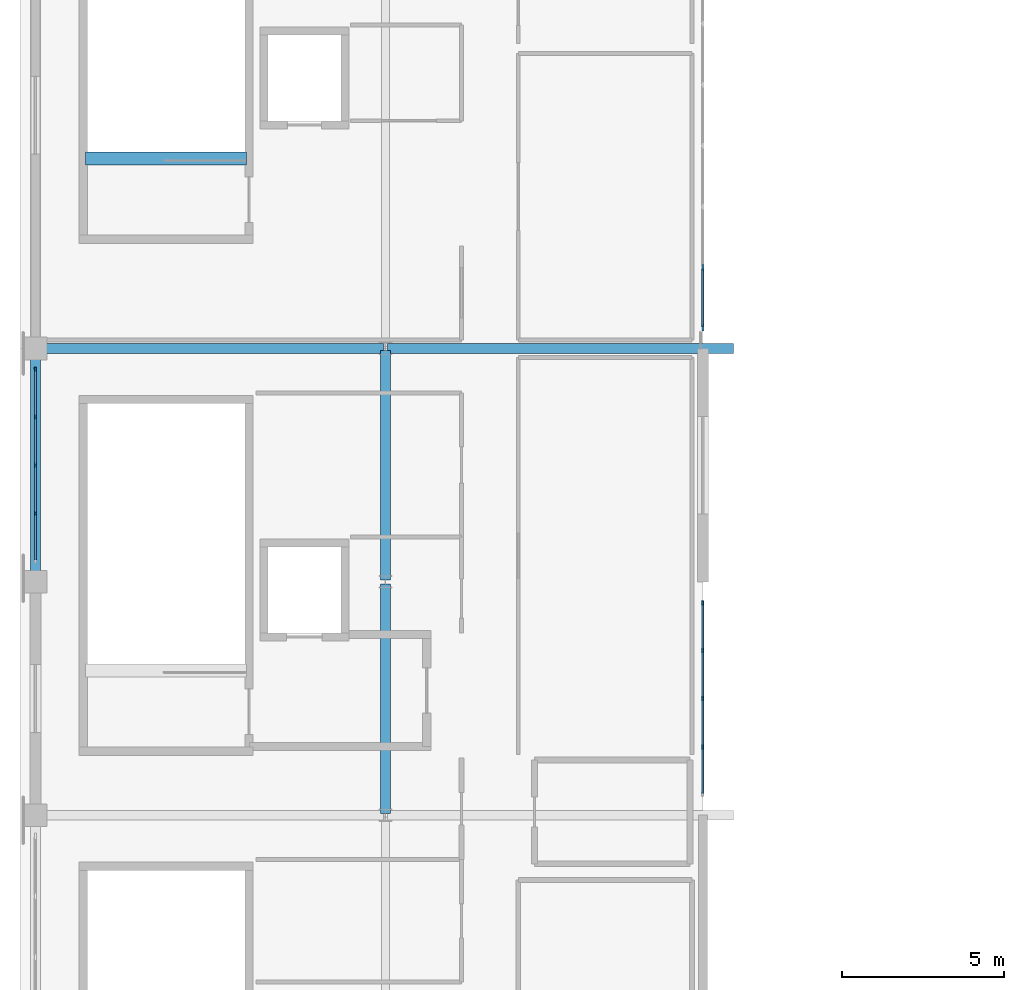
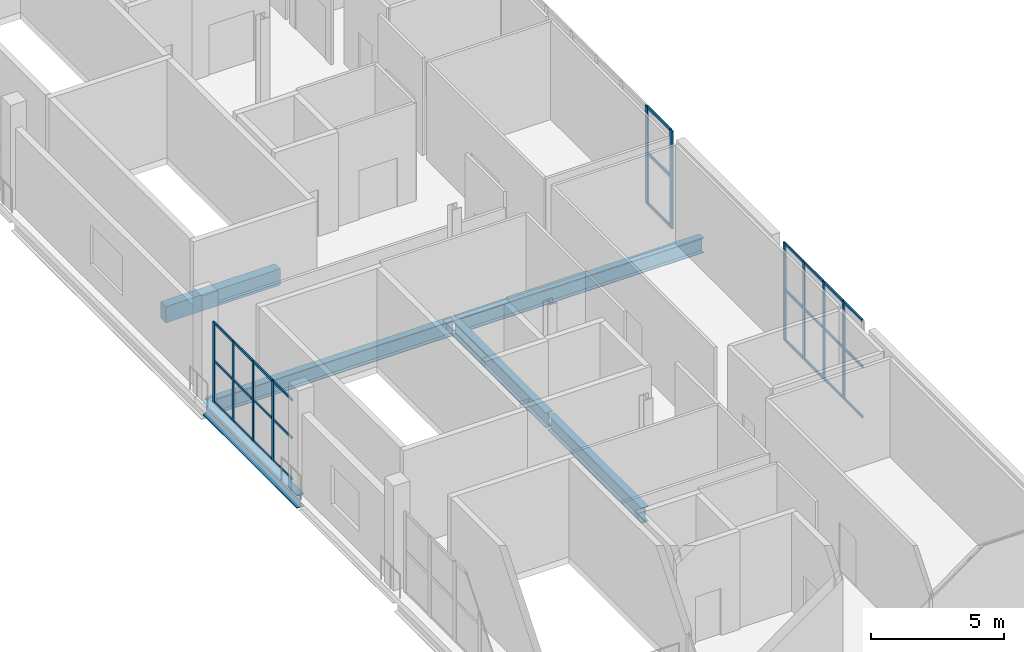
# One storey, part 4 of 19: 37 members, 6 beams, 3 elements without a shape of their own.
"""IFC4 building model written with IfcOpenShell, lengths in metres."""

from ifc_helpers import new_model, si_unit, direction, frame, origin, origin_2d, place, context, subcontext, project, spatial, rectangle, i_section, extrude, material, material_profile, profile_set, type_object, element, aggregate, save


model = new_model("IFC4")

# Units and contexts
model_context = context("Model", 3, precision=1e-05, world=origin(), true_north=direction((0.0, 1.0)))
body_context = subcontext(model_context, "Body", "Model", "MODEL_VIEW")
ifc_project = project(units=[si_unit("LENGTHUNIT", "METRE"), si_unit("AREAUNIT", "SQUARE_METRE"), si_unit("VOLUMEUNIT", "CUBIC_METRE"), si_unit("PLANEANGLEUNIT", "RADIAN"), si_unit("MASSUNIT", "GRAM", prefix="KILO")], contexts=[model_context])

# Site, building, storey
site_placement = place(None, origin())
site = spatial("IfcSite", under=ifc_project, at=site_placement, CompositionType="ELEMENT")
building_placement = place(site_placement, origin())
building = spatial("IfcBuilding", under=site, at=building_placement, Name="Koshinbarg Plaza Stadium", CompositionType="ELEMENT")
storey_placement = place(building_placement, frame((0.0, 0.0, 29.39990234375)))
storey = spatial("IfcBuildingStorey", under=building, at=storey_placement, Name="L06", CompositionType="ELEMENT", Elevation=29.39990234375)

# Beams
ifc_material_1 = material(Name="Concrete C40/50", Category="concrete")
ifc_material_profile_1 = material_profile(ifc_material_1, rectangle(XDim=0.39990234375, YDim=0.75, at=origin_2d()), Name="RC 400x750")
ifc_profile_set_1 = profile_set([ifc_material_profile_1], Name="Concrete C40/50")
beam_type_1 = type_object("IfcBeamType", Name="BM-RCG-03", PredefinedType="USERDEFINED", material=ifc_profile_set_1)
beam_1_placement = place(storey_placement, frame((26.14990234375, 60.159912109375, -0.375), z_axis=(1.0, 0.0, 0.0), x_axis=(0.0, 1.0, 0.0)))
element("IfcBeam", 1, at=beam_1_placement, inside=storey, type_object=beam_type_1, Name="L06 stair landing header beam C03", ObjectType="GIRDER", PredefinedType="USERDEFINED", context=body_context, shape_type="SweptSolid", body=[
    extrude(rectangle(XDim=0.39990234375, YDim=0.75, at=origin_2d()), origin(), (0.0, 0.0, 1.0), 4.97021484375),
])
ifc_material_2 = material(Name="Steel S355", Category="steel")
ifc_material_profile_2 = material_profile(ifc_material_2, i_section(OverallWidth=0.300048828125, OverallDepth=0.60009765625, WebThickness=0.015380859375, FlangeThickness=0.030029296875, at=origin_2d()), Name="HEB 600")
ifc_profile_set_2 = profile_set([ifc_material_profile_2], Name="Steel S355")
beam_type_2 = type_object("IfcBeamType", Name="BM-SGIR-02", PredefinedType="USERDEFINED", material=ifc_profile_set_2)
beam_2_placement = place(storey_placement, frame((24.60009765625, 47.159912109375, -0.599853515625), z_axis=(0.0, 1.0, 0.0), x_axis=(-1.0, 0.0, 0.0)))
element("IfcBeam", 2, at=beam_2_placement, inside=storey, type_object=beam_type_2, Name="L06 Y girder 5/G-H", ObjectType="GIRDER", PredefinedType="USERDEFINED", context=body_context, shape_type="SweptSolid", body=[
    extrude(i_section(OverallWidth=0.300048828125, OverallDepth=0.60009765625, WebThickness=0.015380859375, FlangeThickness=0.030029296875, at=origin_2d()), origin(), (0.0, 0.0, 1.0), 7.080078125),
])
ifc_material_profile_3 = material_profile(ifc_material_2, i_section(OverallWidth=0.300048828125, OverallDepth=0.699951171875, WebThickness=0.01708984375, FlangeThickness=0.031982421875, at=origin_2d()), Name="HEB 700")
ifc_profile_set_3 = profile_set([ifc_material_profile_3], Name="Steel S355")
beam_type_3 = type_object("IfcBeamType", Name="BM-SGIR-03", PredefinedType="USERDEFINED", material=ifc_profile_set_3)
beam_3_placement = place(storey_placement, frame((24.659912109375, 54.300048828125, -0.64990234375), z_axis=(1.0, 0.0, 0.0), x_axis=(0.0, 1.0, 0.0)))
element("IfcBeam", 3, at=beam_3_placement, inside=storey, type_object=beam_type_3, Name="L06 X girder H/5-6", ObjectType="GIRDER", PredefinedType="USERDEFINED", context=body_context, shape_type="SweptSolid", body=[
    extrude(i_section(OverallWidth=0.300048828125, OverallDepth=0.699951171875, WebThickness=0.01708984375, FlangeThickness=0.031982421875, at=origin_2d()), origin(), (0.0, 0.0, 1.0), 10.68017578125),
])
beam_4_placement = place(storey_placement, frame((35.4599609375, 54.300048828125, -0.64990234375), z_axis=(1.0, 0.0, 0.0), x_axis=(0.0, 1.0, 0.0)))
element("IfcBeam", 4, at=beam_4_placement, inside=storey, type_object=beam_type_3, Name="L06 X girder H/6-7", ObjectType="GIRDER", PredefinedType="USERDEFINED", context=body_context, shape_type="SweptSolid", body=[
    extrude(i_section(OverallWidth=0.300048828125, OverallDepth=0.699951171875, WebThickness=0.01708984375, FlangeThickness=0.031982421875, at=origin_2d()), origin(), (0.0, 0.0, 1.0), 10.679931640625),
])
for number, where, z_axis, x_axis, name in (
    (5, (35.39990234375, 39.9599609375, -0.64990234375), (0.0, 1.0, 0.0), (-1.0, 0.0, 0.0), "L06 Y girder 6/F-G"),
    (6, (35.39990234375, 47.159912109375, -0.64990234375), (0.0, 1.0, 0.0), (-1.0, 0.0, 0.0), "L06 Y girder 6/G-H"),
):
    element("IfcBeam", number, at=place(storey_placement, frame(where, z_axis=z_axis, x_axis=x_axis)), inside=storey, type_object=beam_type_3, Name=name, ObjectType="GIRDER", PredefinedType="USERDEFINED", context=body_context, shape_type="SweptSolid", body=[
        extrude(i_section(OverallWidth=0.300048828125, OverallDepth=0.699951171875, WebThickness=0.01708984375, FlangeThickness=0.031982421875, at=origin_2d()), origin(), (0.0, 0.0, 1.0), 7.080078125),
    ])

# Curtain wall, members
ifc_material_3 = material(Name="Thermally broken anodised aluminium and low-E double glazing", Category="aluminium")
curtain_wall_type_1 = type_object("IfcCurtainWallType", Name="CW-SYS-09", PredefinedType="NOTDEFINED", material=ifc_material_3)
curtain_wall_1_placement = place(storey_placement, origin())
curtain_wall_1 = element("IfcCurtainWall", 7, at=curtain_wall_1_placement, inside=storey, type_object=curtain_wall_type_1, Name="L06 unitised curtain wall CW-L06-152", PredefinedType="NOTDEFINED")
ifc_material_4 = material(Name="Anodised aluminium mullion", Category="aluminium")
ifc_material_profile_4 = material_profile(ifc_material_4, rectangle(XDim=0.06005859375, YDim=0.139892578125, at=origin_2d()), Name="ALU 60x140")
ifc_profile_set_4 = profile_set([ifc_material_profile_4], Name="Anodised aluminium mullion")
member_type_1 = type_object("IfcMemberType", Name="CW-MUL-01", PredefinedType="MULLION", material=ifc_profile_set_4)
member_1_placement = place(storey_placement, frame((24.60009765625, 49.2099609375, 0.0), z_axis=(0.0, 0.0, 1.0), x_axis=(-1.0, 0.0, 0.0)))
member_1 = element("IfcMember", 8, at=member_1_placement, type_object=member_type_1, Name="CW09 mullion 2", PredefinedType="MULLION", context=body_context, shape_type="SweptSolid", body=[
    extrude(rectangle(XDim=0.06005859375, YDim=0.139892578125, at=origin_2d()), origin(), (0.0, 0.0, 1.0), 3.68017578125),
])
member_2_placement = place(storey_placement, frame((24.60009765625, 50.699951171875, 0.0), z_axis=(0.0, 0.0, 1.0), x_axis=(-1.0, 0.0, 0.0)))
member_2 = element("IfcMember", 9, at=member_2_placement, type_object=member_type_1, Name="CW09 mullion 3", PredefinedType="MULLION", context=body_context, shape_type="SweptSolid", body=[
    extrude(rectangle(XDim=0.06005859375, YDim=0.139892578125, at=origin_2d()), origin(), (0.0, 0.0, 1.0), 3.68017578125),
])
member_3_placement = place(storey_placement, frame((24.60009765625, 52.18994140625, 0.0), z_axis=(0.0, 0.0, 1.0), x_axis=(-1.0, 0.0, 0.0)))
member_3 = element("IfcMember", 10, at=member_3_placement, type_object=member_type_1, Name="CW09 mullion 4", PredefinedType="MULLION", context=body_context, shape_type="SweptSolid", body=[
    extrude(rectangle(XDim=0.06005859375, YDim=0.139892578125, at=origin_2d()), origin(), (0.0, 0.0, 1.0), 3.68017578125),
])
member_4_placement = place(storey_placement, frame((24.60009765625, 53.64990234375, 0.0), z_axis=(0.0, 0.0, 1.0), x_axis=(-1.0, 0.0, 0.0)))
member_4 = element("IfcMember", 11, at=member_4_placement, type_object=member_type_1, Name="CW09 mullion 5", PredefinedType="MULLION", context=body_context, shape_type="SweptSolid", body=[
    extrude(rectangle(XDim=0.06005859375, YDim=0.139892578125, at=origin_2d()), origin(), (0.0, 0.0, 1.0), 3.68017578125),
])

curtain_wall_type_2 = type_object("IfcCurtainWallType", Name="CW-SYS-01", PredefinedType="NOTDEFINED", material=ifc_material_3)
curtain_wall_2_placement = place(storey_placement, origin())
curtain_wall_2 = element("IfcCurtainWall", 12, at=curtain_wall_2_placement, inside=storey, type_object=curtain_wall_type_2, Name="L06 unitised curtain wall CW-L06-160", PredefinedType="NOTDEFINED")
member_5_placement = place(storey_placement, frame((45.199951171875, 46.449951171875, 0.0), z_axis=(0.0, 0.0, 1.0), x_axis=(1.0, 0.0, 0.0)))
member_5 = element("IfcMember", 13, at=member_5_placement, type_object=member_type_1, Name="CW01 mullion 1", PredefinedType="MULLION", context=body_context, shape_type="SweptSolid", body=[
    extrude(rectangle(XDim=0.06005859375, YDim=0.139892578125, at=origin_2d()), origin(), (0.0, 0.0, 1.0), 4.47998046875),
])
member_6_placement = place(storey_placement, frame((45.199951171875, 44.989990234375, 0.0), z_axis=(0.0, 0.0, 1.0), x_axis=(1.0, 0.0, 0.0)))
member_6 = element("IfcMember", 14, at=member_6_placement, type_object=member_type_1, Name="CW01 mullion 2", PredefinedType="MULLION", context=body_context, shape_type="SweptSolid", body=[
    extrude(rectangle(XDim=0.06005859375, YDim=0.139892578125, at=origin_2d()), origin(), (0.0, 0.0, 1.0), 4.47998046875),
])
member_7_placement = place(storey_placement, frame((45.199951171875, 43.5, 0.0), z_axis=(0.0, 0.0, 1.0), x_axis=(1.0, 0.0, 0.0)))
member_7 = element("IfcMember", 15, at=member_7_placement, type_object=member_type_1, Name="CW01 mullion 3", PredefinedType="MULLION", context=body_context, shape_type="SweptSolid", body=[
    extrude(rectangle(XDim=0.06005859375, YDim=0.139892578125, at=origin_2d()), origin(), (0.0, 0.0, 1.0), 4.47998046875),
])
member_8_placement = place(storey_placement, frame((45.199951171875, 42.010009765625, 0.0), z_axis=(0.0, 0.0, 1.0), x_axis=(1.0, 0.0, 0.0)))
member_8 = element("IfcMember", 16, at=member_8_placement, type_object=member_type_1, Name="CW01 mullion 4", PredefinedType="MULLION", context=body_context, shape_type="SweptSolid", body=[
    extrude(rectangle(XDim=0.06005859375, YDim=0.139892578125, at=origin_2d()), origin(), (0.0, 0.0, 1.0), 4.47998046875),
])

curtain_wall_type_3 = type_object("IfcCurtainWallType", Name="CW-SYS-16", PredefinedType="NOTDEFINED", material=ifc_material_3)
curtain_wall_3_placement = place(storey_placement, origin())
curtain_wall_3 = element("IfcCurtainWall", 17, at=curtain_wall_3_placement, inside=storey, type_object=curtain_wall_type_3, Name="L06 unitised curtain wall CW-L06-159", PredefinedType="NOTDEFINED")
ifc_material_profile_5 = material_profile(ifc_material_4, rectangle(XDim=0.070068359375, YDim=0.199951171875, at=origin_2d()), Name="ALU 70x200")
ifc_profile_set_5 = profile_set([ifc_material_profile_5], Name="Anodised aluminium mullion")
member_type_2 = type_object("IfcMemberType", Name="CW-MUL-04", PredefinedType="MULLION", material=ifc_profile_set_5)
member_9_placement = place(storey_placement, frame((45.199951171875, 56.800048828125, 0.0), z_axis=(0.0, 0.0, 1.0), x_axis=(1.0, 0.0, 0.0)))
member_9 = element("IfcMember", 18, at=member_9_placement, type_object=member_type_2, Name="CW16 mullion 7", PredefinedType="MULLION", context=body_context, shape_type="SweptSolid", body=[
    extrude(rectangle(XDim=0.070068359375, YDim=0.199951171875, at=origin_2d()), origin(), (0.0, 0.0, 1.0), 4.47998046875),
])
member_10_placement = place(storey_placement, frame((45.199951171875, 54.949951171875, 0.0), z_axis=(0.0, 0.0, 1.0), x_axis=(1.0, 0.0, 0.0)))
member_10 = element("IfcMember", 19, at=member_10_placement, type_object=member_type_2, Name="CW16 mullion 8", PredefinedType="MULLION", context=body_context, shape_type="SweptSolid", body=[
    extrude(rectangle(XDim=0.070068359375, YDim=0.199951171875, at=origin_2d()), origin(), (0.0, 0.0, 1.0), 4.47998046875),
])

# Member
ifc_material_5 = material(Name="Anodised aluminium transom", Category="aluminium")
ifc_material_profile_6 = material_profile(ifc_material_5, rectangle(XDim=0.06005859375, YDim=0.110107421875, at=origin_2d()), Name="ALU 60x110")
ifc_profile_set_6 = profile_set([ifc_material_profile_6], Name="Anodised aluminium transom")
member_type_3 = type_object("IfcMemberType", Name="CW-TRN-01", PredefinedType="USERDEFINED", material=ifc_profile_set_6)
member_11_placement = place(storey_placement, frame((24.60009765625, 47.780029296875, 0.030029296875), z_axis=(0.0, 1.0, 0.0), x_axis=(-1.0, 0.0, 0.0)))
member_11 = element("IfcMember", 20, at=member_11_placement, type_object=member_type_3, Name="CW09 transom 1.1", ObjectType="TRANSOM", PredefinedType="USERDEFINED", context=body_context, shape_type="SweptSolid", body=[
    extrude(rectangle(XDim=0.06005859375, YDim=0.110107421875, at=origin_2d()), origin(), (0.0, 0.0, 1.0), 1.39990234375),
])

member_12_placement = place(storey_placement, frame((24.60009765625, 47.780029296875, 1.913818359375), z_axis=(0.0, 1.0, 0.0), x_axis=(-1.0, 0.0, 0.0)))
member_12 = element("IfcMember", 21, at=member_12_placement, type_object=member_type_3, Name="CW09 transom 1.2", ObjectType="TRANSOM", PredefinedType="USERDEFINED", context=body_context, shape_type="SweptSolid", body=[
    extrude(rectangle(XDim=0.06005859375, YDim=0.110107421875, at=origin_2d()), origin(), (0.0, 0.0, 1.0), 1.39990234375),
])

member_13_placement = place(storey_placement, frame((24.60009765625, 47.780029296875, 3.650146484375), z_axis=(0.0, 1.0, 0.0), x_axis=(-1.0, 0.0, 0.0)))
member_13 = element("IfcMember", 22, at=member_13_placement, type_object=member_type_3, Name="CW09 transom 1.3", ObjectType="TRANSOM", PredefinedType="USERDEFINED", context=body_context, shape_type="SweptSolid", body=[
    extrude(rectangle(XDim=0.06005859375, YDim=0.110107421875, at=origin_2d()), origin(), (0.0, 0.0, 1.0), 1.39990234375),
])

member_14_placement = place(storey_placement, frame((24.60009765625, 49.239990234375, 0.030029296875), z_axis=(0.0, 1.0, 0.0), x_axis=(-1.0, 0.0, 0.0)))
member_14 = element("IfcMember", 23, at=member_14_placement, type_object=member_type_3, Name="CW09 transom 2.1", ObjectType="TRANSOM", PredefinedType="USERDEFINED", context=body_context, shape_type="SweptSolid", body=[
    extrude(rectangle(XDim=0.06005859375, YDim=0.110107421875, at=origin_2d()), origin(), (0.0, 0.0, 1.0), 1.429931640625),
])

member_15_placement = place(storey_placement, frame((24.60009765625, 49.239990234375, 1.913818359375), z_axis=(0.0, 1.0, 0.0), x_axis=(-1.0, 0.0, 0.0)))
member_15 = element("IfcMember", 24, at=member_15_placement, type_object=member_type_3, Name="CW09 transom 2.2", ObjectType="TRANSOM", PredefinedType="USERDEFINED", context=body_context, shape_type="SweptSolid", body=[
    extrude(rectangle(XDim=0.06005859375, YDim=0.110107421875, at=origin_2d()), origin(), (0.0, 0.0, 1.0), 1.429931640625),
])

member_16_placement = place(storey_placement, frame((24.60009765625, 49.239990234375, 3.650146484375), z_axis=(0.0, 1.0, 0.0), x_axis=(-1.0, 0.0, 0.0)))
member_16 = element("IfcMember", 25, at=member_16_placement, type_object=member_type_3, Name="CW09 transom 2.3", ObjectType="TRANSOM", PredefinedType="USERDEFINED", context=body_context, shape_type="SweptSolid", body=[
    extrude(rectangle(XDim=0.06005859375, YDim=0.110107421875, at=origin_2d()), origin(), (0.0, 0.0, 1.0), 1.429931640625),
])

member_17_placement = place(storey_placement, frame((24.60009765625, 50.72998046875, 0.030029296875), z_axis=(0.0, 1.0, 0.0), x_axis=(-1.0, 0.0, 0.0)))
member_17 = element("IfcMember", 26, at=member_17_placement, type_object=member_type_3, Name="CW09 transom 3.1", ObjectType="TRANSOM", PredefinedType="USERDEFINED", context=body_context, shape_type="SweptSolid", body=[
    extrude(rectangle(XDim=0.06005859375, YDim=0.110107421875, at=origin_2d()), origin(), (0.0, 0.0, 1.0), 1.429931640625),
])

member_18_placement = place(storey_placement, frame((24.60009765625, 50.72998046875, 1.913818359375), z_axis=(0.0, 1.0, 0.0), x_axis=(-1.0, 0.0, 0.0)))
member_18 = element("IfcMember", 27, at=member_18_placement, type_object=member_type_3, Name="CW09 transom 3.2", ObjectType="TRANSOM", PredefinedType="USERDEFINED", context=body_context, shape_type="SweptSolid", body=[
    extrude(rectangle(XDim=0.06005859375, YDim=0.110107421875, at=origin_2d()), origin(), (0.0, 0.0, 1.0), 1.429931640625),
])

member_19_placement = place(storey_placement, frame((24.60009765625, 50.72998046875, 3.650146484375), z_axis=(0.0, 1.0, 0.0), x_axis=(-1.0, 0.0, 0.0)))
member_19 = element("IfcMember", 28, at=member_19_placement, type_object=member_type_3, Name="CW09 transom 3.3", ObjectType="TRANSOM", PredefinedType="USERDEFINED", context=body_context, shape_type="SweptSolid", body=[
    extrude(rectangle(XDim=0.06005859375, YDim=0.110107421875, at=origin_2d()), origin(), (0.0, 0.0, 1.0), 1.429931640625),
])

member_20_placement = place(storey_placement, frame((24.60009765625, 52.219970703125, 0.030029296875), z_axis=(0.0, 1.0, 0.0), x_axis=(-1.0, 0.0, 0.0)))
member_20 = element("IfcMember", 29, at=member_20_placement, type_object=member_type_3, Name="CW09 transom 4.1", ObjectType="TRANSOM", PredefinedType="USERDEFINED", context=body_context, shape_type="SweptSolid", body=[
    extrude(rectangle(XDim=0.06005859375, YDim=0.110107421875, at=origin_2d()), origin(), (0.0, 0.0, 1.0), 1.400146484375),
])

member_21_placement = place(storey_placement, frame((24.60009765625, 52.219970703125, 1.913818359375), z_axis=(0.0, 1.0, 0.0), x_axis=(-1.0, 0.0, 0.0)))
member_21 = element("IfcMember", 30, at=member_21_placement, type_object=member_type_3, Name="CW09 transom 4.2", ObjectType="TRANSOM", PredefinedType="USERDEFINED", context=body_context, shape_type="SweptSolid", body=[
    extrude(rectangle(XDim=0.06005859375, YDim=0.110107421875, at=origin_2d()), origin(), (0.0, 0.0, 1.0), 1.400146484375),
])

member_22_placement = place(storey_placement, frame((24.60009765625, 52.219970703125, 3.650146484375), z_axis=(0.0, 1.0, 0.0), x_axis=(-1.0, 0.0, 0.0)))
member_22 = element("IfcMember", 31, at=member_22_placement, type_object=member_type_3, Name="CW09 transom 4.3", ObjectType="TRANSOM", PredefinedType="USERDEFINED", context=body_context, shape_type="SweptSolid", body=[
    extrude(rectangle(XDim=0.06005859375, YDim=0.110107421875, at=origin_2d()), origin(), (0.0, 0.0, 1.0), 1.400146484375),
])

aggregate(curtain_wall_1, [member_1, member_2, member_3, member_4, member_11, member_12, member_13, member_14, member_15, member_16, member_17, member_18, member_19, member_20, member_21, member_22])

member_23_placement = place(storey_placement, frame((45.199951171875, 46.419921875, 0.030029296875), z_axis=(0.0, -1.0, 0.0), x_axis=(1.0, 0.0, 0.0)))
member_23 = element("IfcMember", 32, at=member_23_placement, type_object=member_type_3, Name="CW01 transom 1.1", ObjectType="TRANSOM", PredefinedType="USERDEFINED", context=body_context, shape_type="SweptSolid", body=[
    extrude(rectangle(XDim=0.06005859375, YDim=0.110107421875, at=origin_2d()), origin(), (0.0, 0.0, 1.0), 1.39990234375),
])

member_24_placement = place(storey_placement, frame((45.199951171875, 46.419921875, 2.32958984375), z_axis=(0.0, -1.0, 0.0), x_axis=(1.0, 0.0, 0.0)))
member_24 = element("IfcMember", 33, at=member_24_placement, type_object=member_type_3, Name="CW01 transom 1.2", ObjectType="TRANSOM", PredefinedType="USERDEFINED", context=body_context, shape_type="SweptSolid", body=[
    extrude(rectangle(XDim=0.06005859375, YDim=0.110107421875, at=origin_2d()), origin(), (0.0, 0.0, 1.0), 1.39990234375),
])

member_25_placement = place(storey_placement, frame((45.199951171875, 46.419921875, 4.4501953125), z_axis=(0.0, -1.0, 0.0), x_axis=(1.0, 0.0, 0.0)))
member_25 = element("IfcMember", 34, at=member_25_placement, type_object=member_type_3, Name="CW01 transom 1.3", ObjectType="TRANSOM", PredefinedType="USERDEFINED", context=body_context, shape_type="SweptSolid", body=[
    extrude(rectangle(XDim=0.06005859375, YDim=0.110107421875, at=origin_2d()), origin(), (0.0, 0.0, 1.0), 1.39990234375),
])

member_26_placement = place(storey_placement, frame((45.199951171875, 44.9599609375, 0.030029296875), z_axis=(0.0, -1.0, 0.0), x_axis=(1.0, 0.0, 0.0)))
member_26 = element("IfcMember", 35, at=member_26_placement, type_object=member_type_3, Name="CW01 transom 2.1", ObjectType="TRANSOM", PredefinedType="USERDEFINED", context=body_context, shape_type="SweptSolid", body=[
    extrude(rectangle(XDim=0.06005859375, YDim=0.110107421875, at=origin_2d()), origin(), (0.0, 0.0, 1.0), 1.429931640625),
])

member_27_placement = place(storey_placement, frame((45.199951171875, 44.9599609375, 2.32958984375), z_axis=(0.0, -1.0, 0.0), x_axis=(1.0, 0.0, 0.0)))
member_27 = element("IfcMember", 36, at=member_27_placement, type_object=member_type_3, Name="CW01 transom 2.2", ObjectType="TRANSOM", PredefinedType="USERDEFINED", context=body_context, shape_type="SweptSolid", body=[
    extrude(rectangle(XDim=0.06005859375, YDim=0.110107421875, at=origin_2d()), origin(), (0.0, 0.0, 1.0), 1.429931640625),
])

member_28_placement = place(storey_placement, frame((45.199951171875, 44.9599609375, 4.4501953125), z_axis=(0.0, -1.0, 0.0), x_axis=(1.0, 0.0, 0.0)))
member_28 = element("IfcMember", 37, at=member_28_placement, type_object=member_type_3, Name="CW01 transom 2.3", ObjectType="TRANSOM", PredefinedType="USERDEFINED", context=body_context, shape_type="SweptSolid", body=[
    extrude(rectangle(XDim=0.06005859375, YDim=0.110107421875, at=origin_2d()), origin(), (0.0, 0.0, 1.0), 1.429931640625),
])

member_29_placement = place(storey_placement, frame((45.199951171875, 43.469970703125, 0.030029296875), z_axis=(0.0, -1.0, 0.0), x_axis=(1.0, 0.0, 0.0)))
member_29 = element("IfcMember", 38, at=member_29_placement, type_object=member_type_3, Name="CW01 transom 3.1", ObjectType="TRANSOM", PredefinedType="USERDEFINED", context=body_context, shape_type="SweptSolid", body=[
    extrude(rectangle(XDim=0.06005859375, YDim=0.110107421875, at=origin_2d()), origin(), (0.0, 0.0, 1.0), 1.429931640625),
])

member_30_placement = place(storey_placement, frame((45.199951171875, 43.469970703125, 2.32958984375), z_axis=(0.0, -1.0, 0.0), x_axis=(1.0, 0.0, 0.0)))
member_30 = element("IfcMember", 39, at=member_30_placement, type_object=member_type_3, Name="CW01 transom 3.2", ObjectType="TRANSOM", PredefinedType="USERDEFINED", context=body_context, shape_type="SweptSolid", body=[
    extrude(rectangle(XDim=0.06005859375, YDim=0.110107421875, at=origin_2d()), origin(), (0.0, 0.0, 1.0), 1.429931640625),
])

member_31_placement = place(storey_placement, frame((45.199951171875, 43.469970703125, 4.4501953125), z_axis=(0.0, -1.0, 0.0), x_axis=(1.0, 0.0, 0.0)))
member_31 = element("IfcMember", 40, at=member_31_placement, type_object=member_type_3, Name="CW01 transom 3.3", ObjectType="TRANSOM", PredefinedType="USERDEFINED", context=body_context, shape_type="SweptSolid", body=[
    extrude(rectangle(XDim=0.06005859375, YDim=0.110107421875, at=origin_2d()), origin(), (0.0, 0.0, 1.0), 1.429931640625),
])

member_32_placement = place(storey_placement, frame((45.199951171875, 41.97998046875, 0.030029296875), z_axis=(0.0, -1.0, 0.0), x_axis=(1.0, 0.0, 0.0)))
member_32 = element("IfcMember", 41, at=member_32_placement, type_object=member_type_3, Name="CW01 transom 4.1", ObjectType="TRANSOM", PredefinedType="USERDEFINED", context=body_context, shape_type="SweptSolid", body=[
    extrude(rectangle(XDim=0.06005859375, YDim=0.110107421875, at=origin_2d()), origin(), (0.0, 0.0, 1.0), 1.39990234375),
])

member_33_placement = place(storey_placement, frame((45.199951171875, 41.97998046875, 2.32958984375), z_axis=(0.0, -1.0, 0.0), x_axis=(1.0, 0.0, 0.0)))
member_33 = element("IfcMember", 42, at=member_33_placement, type_object=member_type_3, Name="CW01 transom 4.2", ObjectType="TRANSOM", PredefinedType="USERDEFINED", context=body_context, shape_type="SweptSolid", body=[
    extrude(rectangle(XDim=0.06005859375, YDim=0.110107421875, at=origin_2d()), origin(), (0.0, 0.0, 1.0), 1.39990234375),
])

member_34_placement = place(storey_placement, frame((45.199951171875, 41.97998046875, 4.4501953125), z_axis=(0.0, -1.0, 0.0), x_axis=(1.0, 0.0, 0.0)))
member_34 = element("IfcMember", 43, at=member_34_placement, type_object=member_type_3, Name="CW01 transom 4.3", ObjectType="TRANSOM", PredefinedType="USERDEFINED", context=body_context, shape_type="SweptSolid", body=[
    extrude(rectangle(XDim=0.06005859375, YDim=0.110107421875, at=origin_2d()), origin(), (0.0, 0.0, 1.0), 1.39990234375),
])

aggregate(curtain_wall_2, [member_5, member_6, member_7, member_8, member_23, member_24, member_25, member_26, member_27, member_28, member_29, member_30, member_31, member_32, member_33, member_34])

ifc_material_profile_7 = material_profile(ifc_material_5, rectangle(XDim=0.06005859375, YDim=0.1298828125, at=origin_2d()), Name="ALU 60x130")
ifc_profile_set_7 = profile_set([ifc_material_profile_7], Name="Anodised aluminium transom")
member_type_4 = type_object("IfcMemberType", Name="CW-TRN-02", PredefinedType="USERDEFINED", material=ifc_profile_set_7)
member_35_placement = place(storey_placement, frame((45.199951171875, 56.77001953125, 0.030029296875), z_axis=(0.0, -1.0, 0.0), x_axis=(1.0, 0.0, 0.0)))
member_35 = element("IfcMember", 44, at=member_35_placement, type_object=member_type_4, Name="CW16 transom 7.1", ObjectType="TRANSOM", PredefinedType="USERDEFINED", context=body_context, shape_type="SweptSolid", body=[
    extrude(rectangle(XDim=0.06005859375, YDim=0.1298828125, at=origin_2d()), origin(), (0.0, 0.0, 1.0), 1.7900390625),
])

member_36_placement = place(storey_placement, frame((45.199951171875, 56.77001953125, 2.32958984375), z_axis=(0.0, -1.0, 0.0), x_axis=(1.0, 0.0, 0.0)))
member_36 = element("IfcMember", 45, at=member_36_placement, type_object=member_type_4, Name="CW16 transom 7.2", ObjectType="TRANSOM", PredefinedType="USERDEFINED", context=body_context, shape_type="SweptSolid", body=[
    extrude(rectangle(XDim=0.06005859375, YDim=0.1298828125, at=origin_2d()), origin(), (0.0, 0.0, 1.0), 1.7900390625),
])

member_37_placement = place(storey_placement, frame((45.199951171875, 56.77001953125, 4.4501953125), z_axis=(0.0, -1.0, 0.0), x_axis=(1.0, 0.0, 0.0)))
member_37 = element("IfcMember", 46, at=member_37_placement, type_object=member_type_4, Name="CW16 transom 7.3", ObjectType="TRANSOM", PredefinedType="USERDEFINED", context=body_context, shape_type="SweptSolid", body=[
    extrude(rectangle(XDim=0.06005859375, YDim=0.1298828125, at=origin_2d()), origin(), (0.0, 0.0, 1.0), 1.7900390625),
])

aggregate(curtain_wall_3, [member_9, member_10, member_35, member_36, member_37])

save(model, "model.ifc")
